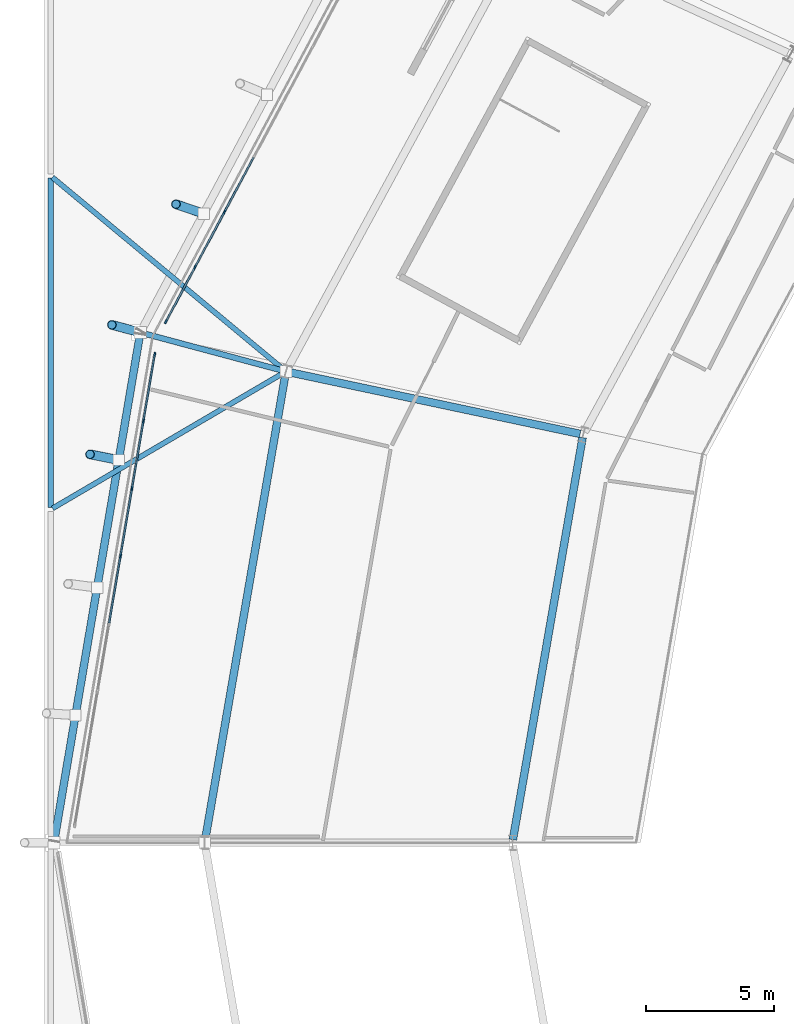
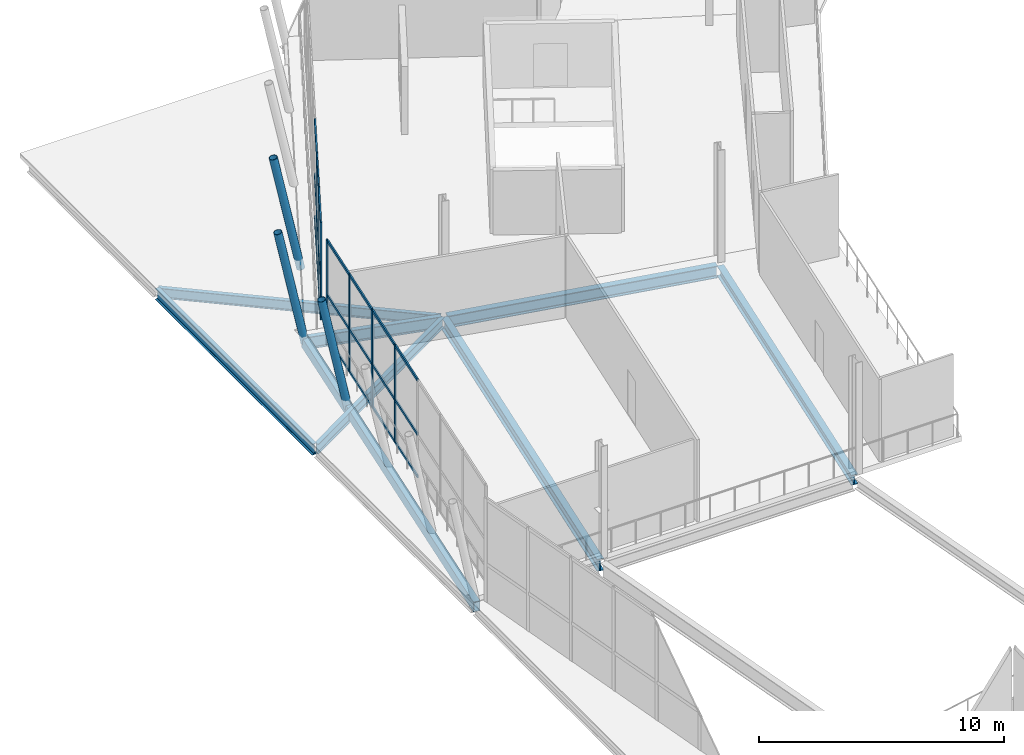
# One storey, part 26 of 99: 31 members, 8 beams, 2 elements without a shape of their own.
"""IFC4 building model written with IfcOpenShell, lengths in metres."""

from ifc_helpers import new_model, si_unit, direction, frame, origin, origin_2d, place, context, subcontext, project, spatial, rectangle, hollow_rectangle, hollow_circle, i_section, extrude, material, material_profile, profile_set, type_object, element, aggregate, save


model = new_model("IFC4")

# Units and contexts
model_context = context("Model", 3, precision=1e-05, world=origin(), true_north=direction((0.0, 1.0)))
body_context = subcontext(model_context, "Body", "Model", "MODEL_VIEW")
ifc_project = project(units=[si_unit("LENGTHUNIT", "METRE"), si_unit("AREAUNIT", "SQUARE_METRE"), si_unit("VOLUMEUNIT", "CUBIC_METRE"), si_unit("PLANEANGLEUNIT", "RADIAN"), si_unit("MASSUNIT", "GRAM", prefix="KILO")], contexts=[model_context])

# Site, building, storey
site_placement = place(None, origin())
site = spatial("IfcSite", under=ifc_project, at=site_placement, CompositionType="ELEMENT")
building_placement = place(site_placement, origin())
building = spatial("IfcBuilding", under=site, at=building_placement, Name="Zlatoyarsky Gate Stadium", CompositionType="ELEMENT")
storey_placement = place(building_placement, frame((0.0, 0.0, 26.199951171875)))
storey = spatial("IfcBuildingStorey", under=building, at=storey_placement, Name="L05", CompositionType="ELEMENT", Elevation=26.199951171875)

# Curtain wall, members
ifc_material_1 = material(Name="Thermally broken anodised aluminium curtain wall", Category="aluminium")
curtain_wall_type = type_object("IfcCurtainWallType", Name="UNITISED SKYBOX RING GLAZING L05", PredefinedType="USERDEFINED", material=ifc_material_1)
curtain_wall_1_placement = place(storey_placement, origin())
curtain_wall_1 = element("IfcCurtainWall", 1, at=curtain_wall_1_placement, inside=storey, type_object=curtain_wall_type, Name="Curtain wall CW-L05-10", ObjectType="UNITISED GLAZING", PredefinedType="USERDEFINED")
ifc_material_2 = material(Name="Anodised aluminium 6063-T6", Category="aluminium")
ifc_material_profile_1 = material_profile(ifc_material_2, rectangle(XDim=0.06494140625, YDim=0.159912109375, at=origin_2d()), Name="ALU 65X160")
ifc_profile_set_1 = profile_set([ifc_material_profile_1], Name="Anodised aluminium 6063-T6")
member_type_1 = type_object("IfcMemberType", Name="ALUMINIUM MULLION 65X160", PredefinedType="MULLION", material=ifc_profile_set_1)
member_1_placement = place(storey_placement, frame((18.772216796875, 104.59619140625, 0.0), z_axis=(0.0, 0.0, 1.0), x_axis=(0.882166738191, -0.470937199667, 0.0)))
member_1 = element("IfcMember", 2, at=member_1_placement, type_object=member_type_1, Name="CW-UG5 mullion 7", PredefinedType="MULLION", context=body_context, shape_type="SweptSolid", body=[
    extrude(rectangle(XDim=0.06494140625, YDim=0.159912109375, at=origin_2d()), origin(), (0.0, 0.0, 1.0), 4.880126953125),
])
member_2_placement = place(storey_placement, frame((17.622802734375, 102.44287109375, 0.0), z_axis=(0.0, 0.0, 1.0), x_axis=(0.882166738191, -0.470937199667, 0.0)))
member_2 = element("IfcMember", 3, at=member_2_placement, type_object=member_type_1, Name="CW-UG5 mullion 8", PredefinedType="MULLION", context=body_context, shape_type="SweptSolid", body=[
    extrude(rectangle(XDim=0.06494140625, YDim=0.159912109375, at=origin_2d()), origin(), (0.0, 0.0, 1.0), 4.880126953125),
])
member_3_placement = place(storey_placement, frame((16.488525390625, 100.318359375, 0.0), z_axis=(0.0, 0.0, 1.0), x_axis=(0.882166738191, -0.470937199667, 0.0)))
member_3 = element("IfcMember", 4, at=member_3_placement, type_object=member_type_1, Name="CW-UG5 mullion 9", PredefinedType="MULLION", context=body_context, shape_type="SweptSolid", body=[
    extrude(rectangle(XDim=0.06494140625, YDim=0.159912109375, at=origin_2d()), origin(), (0.0, 0.0, 1.0), 4.880126953125),
])

curtain_wall_2_placement = place(storey_placement, origin())
curtain_wall_2 = element("IfcCurtainWall", 5, at=curtain_wall_2_placement, inside=storey, type_object=curtain_wall_type, Name="Curtain wall CW-L05-11", ObjectType="UNITISED GLAZING", PredefinedType="USERDEFINED")
member_4_placement = place(storey_placement, frame((16.052978515625, 99.04345703125, 0.0), z_axis=(0.0, 0.0, 1.0), x_axis=(0.985908807049, -0.167283663824, 0.0)))
member_4 = element("IfcMember", 6, at=member_4_placement, type_object=member_type_1, Name="CW-UG5 mullion 1", PredefinedType="MULLION", context=body_context, shape_type="SweptSolid", body=[
    extrude(rectangle(XDim=0.06494140625, YDim=0.159912109375, at=origin_2d()), origin(), (0.0, 0.0, 1.0), 4.880126953125),
])
member_5_placement = place(storey_placement, frame((15.611572265625, 96.44189453125, 0.0), z_axis=(0.0, 0.0, 1.0), x_axis=(0.985908807049, -0.167283663824, 0.0)))
member_5 = element("IfcMember", 7, at=member_5_placement, type_object=member_type_1, Name="CW-UG5 mullion 2", PredefinedType="MULLION", context=body_context, shape_type="SweptSolid", body=[
    extrude(rectangle(XDim=0.06494140625, YDim=0.159912109375, at=origin_2d()), origin(), (0.0, 0.0, 1.0), 4.880126953125),
])
member_6_placement = place(storey_placement, frame((15.164794921875, 93.808349609375, 0.0), z_axis=(0.0, 0.0, 1.0), x_axis=(0.985908807049, -0.167283663824, 0.0)))
member_6 = element("IfcMember", 8, at=member_6_placement, type_object=member_type_1, Name="CW-UG5 mullion 3", PredefinedType="MULLION", context=body_context, shape_type="SweptSolid", body=[
    extrude(rectangle(XDim=0.06494140625, YDim=0.159912109375, at=origin_2d()), origin(), (0.0, 0.0, 1.0), 4.880126953125),
])
member_7_placement = place(storey_placement, frame((14.718017578125, 91.1748046875, 0.0), z_axis=(0.0, 0.0, 1.0), x_axis=(0.985908807049, -0.167283663824, 0.0)))
member_7 = element("IfcMember", 9, at=member_7_placement, type_object=member_type_1, Name="CW-UG5 mullion 4", PredefinedType="MULLION", context=body_context, shape_type="SweptSolid", body=[
    extrude(rectangle(XDim=0.06494140625, YDim=0.159912109375, at=origin_2d()), origin(), (0.0, 0.0, 1.0), 4.880126953125),
])

# Member
ifc_material_profile_2 = material_profile(ifc_material_2, rectangle(XDim=0.06494140625, YDim=0.139892578125, at=origin_2d()), Name="ALU 65X140")
ifc_profile_set_2 = profile_set([ifc_material_profile_2], Name="Anodised aluminium 6063-T6")
member_type_2 = type_object("IfcMemberType", Name="ALUMINIUM TRANSOM 65X140", PredefinedType="USERDEFINED", material=ifc_profile_set_2)
member_8_placement = place(storey_placement, frame((19.906494140625, 106.720703125, 0.032470703125), z_axis=(-0.470934870173, -0.882167981767, 0.0), x_axis=(0.882167981767, -0.470934870173, 0.0)))
member_8 = element("IfcMember", 10, at=member_8_placement, type_object=member_type_2, Name="CW-UG5 transom 6.1", ObjectType="TRANSOM", PredefinedType="USERDEFINED", context=body_context, shape_type="SweptSolid", body=[
    extrude(rectangle(XDim=0.06494140625, YDim=0.139892578125, at=origin_2d()), origin(), (0.0, 0.0, 1.0), 2.3759765625),
])

member_9_placement = place(storey_placement, frame((19.906494140625, 106.720703125, 2.150146484375), z_axis=(-0.470934870173, -0.882167981767, 0.0), x_axis=(0.882167981767, -0.470934870173, 0.0)))
member_9 = element("IfcMember", 11, at=member_9_placement, type_object=member_type_2, Name="CW-UG5 transom 6.2", ObjectType="TRANSOM", PredefinedType="USERDEFINED", context=body_context, shape_type="SweptSolid", body=[
    extrude(rectangle(XDim=0.06494140625, YDim=0.139892578125, at=origin_2d()), origin(), (0.0, 0.0, 1.0), 2.3759765625),
])

member_10_placement = place(storey_placement, frame((19.906494140625, 106.720703125, 4.84765625), z_axis=(-0.470934870173, -0.882167981767, 0.0), x_axis=(0.882167981767, -0.470934870173, 0.0)))
member_10 = element("IfcMember", 12, at=member_10_placement, type_object=member_type_2, Name="CW-UG5 transom 6.3", ObjectType="TRANSOM", PredefinedType="USERDEFINED", context=body_context, shape_type="SweptSolid", body=[
    extrude(rectangle(XDim=0.06494140625, YDim=0.139892578125, at=origin_2d()), origin(), (0.0, 0.0, 1.0), 2.3759765625),
])

member_11_placement = place(storey_placement, frame((18.757080078125, 104.5673828125, 0.032470703125), z_axis=(-0.470977563195, -0.882145189278, 0.0), x_axis=(0.882145189278, -0.470977563195, 0.0)))
member_11 = element("IfcMember", 13, at=member_11_placement, type_object=member_type_2, Name="CW-UG5 transom 7.1", ObjectType="TRANSOM", PredefinedType="USERDEFINED", context=body_context, shape_type="SweptSolid", body=[
    extrude(rectangle(XDim=0.06494140625, YDim=0.139892578125, at=origin_2d()), origin(), (0.0, 0.0, 1.0), 2.375732421875),
])

member_12_placement = place(storey_placement, frame((18.757080078125, 104.5673828125, 2.150146484375), z_axis=(-0.470977563195, -0.882145189278, 0.0), x_axis=(0.882145189278, -0.470977563195, 0.0)))
member_12 = element("IfcMember", 14, at=member_12_placement, type_object=member_type_2, Name="CW-UG5 transom 7.2", ObjectType="TRANSOM", PredefinedType="USERDEFINED", context=body_context, shape_type="SweptSolid", body=[
    extrude(rectangle(XDim=0.06494140625, YDim=0.139892578125, at=origin_2d()), origin(), (0.0, 0.0, 1.0), 2.375732421875),
])

member_13_placement = place(storey_placement, frame((18.757080078125, 104.5673828125, 4.84765625), z_axis=(-0.470977563195, -0.882145189278, 0.0), x_axis=(0.882145189278, -0.470977563195, 0.0)))
member_13 = element("IfcMember", 15, at=member_13_placement, type_object=member_type_2, Name="CW-UG5 transom 7.3", ObjectType="TRANSOM", PredefinedType="USERDEFINED", context=body_context, shape_type="SweptSolid", body=[
    extrude(rectangle(XDim=0.06494140625, YDim=0.139892578125, at=origin_2d()), origin(), (0.0, 0.0, 1.0), 2.375732421875),
])

member_14_placement = place(storey_placement, frame((17.607421875, 102.414306640625, 0.032470703125), z_axis=(-0.47089101284, -0.882191393081, 0.0), x_axis=(0.882191393081, -0.47089101284, 0.0)))
member_14 = element("IfcMember", 16, at=member_14_placement, type_object=member_type_2, Name="CW-UG5 transom 8.1", ObjectType="TRANSOM", PredefinedType="USERDEFINED", context=body_context, shape_type="SweptSolid", body=[
    extrude(rectangle(XDim=0.06494140625, YDim=0.139892578125, at=origin_2d()), origin(), (0.0, 0.0, 1.0), 2.343505859375),
])

member_15_placement = place(storey_placement, frame((17.607421875, 102.414306640625, 2.150146484375), z_axis=(-0.47089101284, -0.882191393081, 0.0), x_axis=(0.882191393081, -0.47089101284, 0.0)))
member_15 = element("IfcMember", 17, at=member_15_placement, type_object=member_type_2, Name="CW-UG5 transom 8.2", ObjectType="TRANSOM", PredefinedType="USERDEFINED", context=body_context, shape_type="SweptSolid", body=[
    extrude(rectangle(XDim=0.06494140625, YDim=0.139892578125, at=origin_2d()), origin(), (0.0, 0.0, 1.0), 2.343505859375),
])

member_16_placement = place(storey_placement, frame((17.607421875, 102.414306640625, 4.84765625), z_axis=(-0.47089101284, -0.882191393081, 0.0), x_axis=(0.882191393081, -0.47089101284, 0.0)))
member_16 = element("IfcMember", 18, at=member_16_placement, type_object=member_type_2, Name="CW-UG5 transom 8.3", ObjectType="TRANSOM", PredefinedType="USERDEFINED", context=body_context, shape_type="SweptSolid", body=[
    extrude(rectangle(XDim=0.06494140625, YDim=0.139892578125, at=origin_2d()), origin(), (0.0, 0.0, 1.0), 2.343505859375),
])

aggregate(curtain_wall_1, [member_1, member_2, member_3, member_8, member_9, member_10, member_11, member_12, member_13, member_14, member_15, member_16])

member_17_placement = place(storey_placement, frame((16.047607421875, 99.011474609375, 0.032470703125), z_axis=(-0.167244205598, -0.985915501295, 0.0), x_axis=(0.985915501295, -0.167244205598, 0.0)))
member_17 = element("IfcMember", 19, at=member_17_placement, type_object=member_type_2, Name="CW-UG5 transom 1.1", ObjectType="TRANSOM", PredefinedType="USERDEFINED", context=body_context, shape_type="SweptSolid", body=[
    extrude(rectangle(XDim=0.06494140625, YDim=0.139892578125, at=origin_2d()), origin(), (0.0, 0.0, 1.0), 2.573486328125),
])

member_18_placement = place(storey_placement, frame((16.047607421875, 99.011474609375, 2.150146484375), z_axis=(-0.167244205598, -0.985915501295, 0.0), x_axis=(0.985915501295, -0.167244205598, 0.0)))
member_18 = element("IfcMember", 20, at=member_18_placement, type_object=member_type_2, Name="CW-UG5 transom 1.2", ObjectType="TRANSOM", PredefinedType="USERDEFINED", context=body_context, shape_type="SweptSolid", body=[
    extrude(rectangle(XDim=0.06494140625, YDim=0.139892578125, at=origin_2d()), origin(), (0.0, 0.0, 1.0), 2.573486328125),
])

member_19_placement = place(storey_placement, frame((16.047607421875, 99.011474609375, 4.84765625), z_axis=(-0.167244205598, -0.985915501295, 0.0), x_axis=(0.985915501295, -0.167244205598, 0.0)))
member_19 = element("IfcMember", 21, at=member_19_placement, type_object=member_type_2, Name="CW-UG5 transom 1.3", ObjectType="TRANSOM", PredefinedType="USERDEFINED", context=body_context, shape_type="SweptSolid", body=[
    extrude(rectangle(XDim=0.06494140625, YDim=0.139892578125, at=origin_2d()), origin(), (0.0, 0.0, 1.0), 2.573486328125),
])

member_20_placement = place(storey_placement, frame((15.606201171875, 96.409912109375, 0.032470703125), z_axis=(-0.167315052867, -0.985903480613, 0.0), x_axis=(0.985903480613, -0.167315052867, 0.0)))
member_20 = element("IfcMember", 22, at=member_20_placement, type_object=member_type_2, Name="CW-UG5 transom 2.1", ObjectType="TRANSOM", PredefinedType="USERDEFINED", context=body_context, shape_type="SweptSolid", body=[
    extrude(rectangle(XDim=0.06494140625, YDim=0.139892578125, at=origin_2d()), origin(), (0.0, 0.0, 1.0), 2.60595703125),
])

member_21_placement = place(storey_placement, frame((15.606201171875, 96.409912109375, 2.150146484375), z_axis=(-0.167315052867, -0.985903480613, 0.0), x_axis=(0.985903480613, -0.167315052867, 0.0)))
member_21 = element("IfcMember", 23, at=member_21_placement, type_object=member_type_2, Name="CW-UG5 transom 2.2", ObjectType="TRANSOM", PredefinedType="USERDEFINED", context=body_context, shape_type="SweptSolid", body=[
    extrude(rectangle(XDim=0.06494140625, YDim=0.139892578125, at=origin_2d()), origin(), (0.0, 0.0, 1.0), 2.60595703125),
])

member_22_placement = place(storey_placement, frame((15.606201171875, 96.409912109375, 4.84765625), z_axis=(-0.167315052867, -0.985903480613, 0.0), x_axis=(0.985903480613, -0.167315052867, 0.0)))
member_22 = element("IfcMember", 24, at=member_22_placement, type_object=member_type_2, Name="CW-UG5 transom 2.3", ObjectType="TRANSOM", PredefinedType="USERDEFINED", context=body_context, shape_type="SweptSolid", body=[
    extrude(rectangle(XDim=0.06494140625, YDim=0.139892578125, at=origin_2d()), origin(), (0.0, 0.0, 1.0), 2.60595703125),
])

member_23_placement = place(storey_placement, frame((15.159423828125, 93.7763671875, 0.032470703125), z_axis=(-0.167315052867, -0.985903480613, 0.0), x_axis=(0.985903480613, -0.167315052867, 0.0)))
member_23 = element("IfcMember", 25, at=member_23_placement, type_object=member_type_2, Name="CW-UG5 transom 3.1", ObjectType="TRANSOM", PredefinedType="USERDEFINED", context=body_context, shape_type="SweptSolid", body=[
    extrude(rectangle(XDim=0.06494140625, YDim=0.139892578125, at=origin_2d()), origin(), (0.0, 0.0, 1.0), 2.60595703125),
])

member_24_placement = place(storey_placement, frame((15.159423828125, 93.7763671875, 2.150146484375), z_axis=(-0.167315052867, -0.985903480613, 0.0), x_axis=(0.985903480613, -0.167315052867, 0.0)))
member_24 = element("IfcMember", 26, at=member_24_placement, type_object=member_type_2, Name="CW-UG5 transom 3.2", ObjectType="TRANSOM", PredefinedType="USERDEFINED", context=body_context, shape_type="SweptSolid", body=[
    extrude(rectangle(XDim=0.06494140625, YDim=0.139892578125, at=origin_2d()), origin(), (0.0, 0.0, 1.0), 2.60595703125),
])

member_25_placement = place(storey_placement, frame((15.159423828125, 93.7763671875, 4.84765625), z_axis=(-0.167315052867, -0.985903480613, 0.0), x_axis=(0.985903480613, -0.167315052867, 0.0)))
member_25 = element("IfcMember", 27, at=member_25_placement, type_object=member_type_2, Name="CW-UG5 transom 3.3", ObjectType="TRANSOM", PredefinedType="USERDEFINED", context=body_context, shape_type="SweptSolid", body=[
    extrude(rectangle(XDim=0.06494140625, YDim=0.139892578125, at=origin_2d()), origin(), (0.0, 0.0, 1.0), 2.60595703125),
])

member_26_placement = place(storey_placement, frame((14.712646484375, 91.142822265625, 0.032470703125), z_axis=(-0.167315052867, -0.985903480613, 0.0), x_axis=(0.985903480613, -0.167315052867, 0.0)))
member_26 = element("IfcMember", 28, at=member_26_placement, type_object=member_type_2, Name="CW-UG5 transom 4.1", ObjectType="TRANSOM", PredefinedType="USERDEFINED", context=body_context, shape_type="SweptSolid", body=[
    extrude(rectangle(XDim=0.06494140625, YDim=0.139892578125, at=origin_2d()), origin(), (0.0, 0.0, 1.0), 2.60595703125),
])

member_27_placement = place(storey_placement, frame((14.712646484375, 91.142822265625, 2.150146484375), z_axis=(-0.167315052867, -0.985903480613, 0.0), x_axis=(0.985903480613, -0.167315052867, 0.0)))
member_27 = element("IfcMember", 29, at=member_27_placement, type_object=member_type_2, Name="CW-UG5 transom 4.2", ObjectType="TRANSOM", PredefinedType="USERDEFINED", context=body_context, shape_type="SweptSolid", body=[
    extrude(rectangle(XDim=0.06494140625, YDim=0.139892578125, at=origin_2d()), origin(), (0.0, 0.0, 1.0), 2.60595703125),
])

member_28_placement = place(storey_placement, frame((14.712646484375, 91.142822265625, 4.84765625), z_axis=(-0.167315052867, -0.985903480613, 0.0), x_axis=(0.985903480613, -0.167315052867, 0.0)))
member_28 = element("IfcMember", 30, at=member_28_placement, type_object=member_type_2, Name="CW-UG5 transom 4.3", ObjectType="TRANSOM", PredefinedType="USERDEFINED", context=body_context, shape_type="SweptSolid", body=[
    extrude(rectangle(XDim=0.06494140625, YDim=0.139892578125, at=origin_2d()), origin(), (0.0, 0.0, 1.0), 2.60595703125),
])

aggregate(curtain_wall_2, [member_4, member_5, member_6, member_7, member_17, member_18, member_19, member_20, member_21, member_22, member_23, member_24, member_25, member_26, member_27, member_28])

# Beams
ifc_material_3 = material(Name="Steel S355", Category="steel")
ifc_material_profile_3 = material_profile(ifc_material_3, i_section(OverallWidth=0.219970703125, OverallDepth=0.60009765625, WebThickness=0.011962890625, FlangeThickness=0.01904296875, FilletRadius=0.02392578125, at=origin_2d()), Name="IPE 600")
ifc_profile_set_3 = profile_set([ifc_material_profile_3], Name="Steel S355")
beam_type_1 = type_object("IfcBeamType", Name="STEEL CANTILEVER FLOOR BEAM IPE 600", PredefinedType="BEAM", material=ifc_profile_set_3)
beam_1_placement = place(storey_placement, frame((21.052978515625, 98.4072265625, -0.56005859375), z_axis=(-0.965927422152, 0.258813089189, 0.0), x_axis=(-0.258813089189, -0.965927422152, 0.0)))
element("IfcBeam", 31, at=beam_1_placement, inside=storey, type_object=beam_type_1, Name="Beam B-IPE600 BM-L05-OUT-11", PredefinedType="BEAM", context=body_context, shape_type="SweptSolid", body=[
    extrude(i_section(OverallWidth=0.219970703125, OverallDepth=0.60009765625, WebThickness=0.011962890625, FlangeThickness=0.01904296875, FilletRadius=0.02392578125, at=origin_2d()), origin(), (0.0, 0.0, 1.0), 5.758056640625),
])
ifc_material_profile_4 = material_profile(ifc_material_3, i_section(OverallWidth=0.199951171875, OverallDepth=0.5, WebThickness=0.01025390625, FlangeThickness=0.01611328125, FilletRadius=0.02099609375, at=origin_2d()), Name="IPE 500")
ifc_profile_set_4 = profile_set([ifc_material_profile_4], Name="Steel S355")
beam_type_2 = type_object("IfcBeamType", Name="STEEL FLOOR BEAM IPE 500", PredefinedType="BEAM", material=ifc_profile_set_4)
beam_2_placement = place(storey_placement, frame((12.069091796875, 93.04052734375, -0.510009765625), z_axis=(0.862648306974, 0.505804209625, 0.0), x_axis=(-0.505804209625, 0.862648306974, 0.0)))
element("IfcBeam", 32, at=beam_2_placement, inside=storey, type_object=beam_type_2, Name="Beam B-IPE500 BM-L05-WRF-W5", PredefinedType="BEAM", context=body_context, shape_type="SweptSolid", body=[
    extrude(i_section(OverallWidth=0.199951171875, OverallDepth=0.5, WebThickness=0.01025390625, FlangeThickness=0.01611328125, FilletRadius=0.02099609375, at=origin_2d()), origin(), (0.0, 0.0, 1.0), 10.4287109375),
])
beam_3_placement = place(storey_placement, frame((12.0615234375, 105.948974609375, -0.510009765625), z_axis=(0.768913795001, -0.63935246606, 0.0), x_axis=(0.63935246606, 0.768913795001, 0.0)))
element("IfcBeam", 33, at=beam_3_placement, inside=storey, type_object=beam_type_2, Name="Beam B-IPE500 BM-L05-WRF-W6", PredefinedType="BEAM", context=body_context, shape_type="SweptSolid", body=[
    extrude(i_section(OverallWidth=0.199951171875, OverallDepth=0.5, WebThickness=0.01025390625, FlangeThickness=0.01611328125, FilletRadius=0.02099609375, at=origin_2d()), origin(), (0.0, 0.0, 1.0), 11.724609375),
])
ifc_material_profile_5 = material_profile(ifc_material_3, i_section(OverallWidth=0.2099609375, OverallDepth=0.550048828125, WebThickness=0.010986328125, FlangeThickness=0.01708984375, FilletRadius=0.02392578125, at=origin_2d()), Name="IPE 550")
ifc_profile_set_5 = profile_set([ifc_material_profile_5], Name="Steel S355")
beam_type_3 = type_object("IfcBeamType", Name="STEEL FLOOR BEAM IPE 550", PredefinedType="BEAM", material=ifc_profile_set_5)
beam_4_placement = place(storey_placement, frame((12.0, 93.080078125, -0.534912109375), z_axis=(0.0, 1.0, 0.0), x_axis=(-1.0, 0.0, 0.0)))
element("IfcBeam", 34, at=beam_4_placement, inside=storey, type_object=beam_type_3, Name="Beam B-IPE550 BM-L05-WGY-2-J", PredefinedType="BEAM", context=body_context, shape_type="SweptSolid", body=[
    extrude(i_section(OverallWidth=0.2099609375, OverallDepth=0.550048828125, WebThickness=0.010986328125, FlangeThickness=0.01708984375, FilletRadius=0.02392578125, at=origin_2d()), origin(), (0.0, 0.0, 1.0), 12.83984375),
])

# Members
ifc_material_profile_6 = material_profile(ifc_material_3, hollow_circle(Radius=0.177734375, WallThickness=0.02001953125, at=origin_2d()), Name="CHS 355.6X20")
ifc_profile_set_6 = profile_set([ifc_material_profile_6], Name="Steel S355")
member_type_3 = type_object("IfcMemberType", Name="STEEL LEANING RIB RING STRUT CHS 355.6X20", PredefinedType="STRUT", material=ifc_profile_set_6)
member_29_placement = place(storey_placement, frame((17.960693359375, 104.532958984375, -0.510009765625), z_axis=(-0.18734638797, 0.063505816911, 0.980238920944), x_axis=(-0.32103278258, -0.947068082299, 0.0)))
element("IfcMember", 35, at=member_29_placement, inside=storey, type_object=member_type_3, Name="Outward-leaning bowl louvre fin rib L05 10-3", PredefinedType="STRUT", context=body_context, shape_type="SweptSolid", body=[
    extrude(hollow_circle(Radius=0.177734375, WallThickness=0.02001953125, at=origin_2d()), origin(), (0.0, 0.0, 1.0), 5.774169921875),
])
member_30_placement = place(storey_placement, frame((15.4912109375, 99.8974609375, -0.56005859375), z_axis=(-0.190625969034, 0.051093460038, 0.980332187716), x_axis=(-0.258891781195, -0.965906333777, 0.0)))
element("IfcMember", 36, at=member_30_placement, inside=storey, type_object=member_type_3, Name="Upper leaning rib ring strut 11", PredefinedType="STRUT", context=body_context, shape_type="SweptSolid", body=[
    extrude(hollow_circle(Radius=0.177734375, WallThickness=0.02001953125, at=origin_2d()), origin(), (0.0, 0.0, 1.0), 5.82470703125),
])
member_31_placement = place(storey_placement, frame((14.648681640625, 94.923095703125, -0.510009765625), z_axis=(-0.19394459082, 0.038645161546, 0.980251012333), x_axis=(-0.195417109791, -0.980720221674, 0.0)))
element("IfcMember", 37, at=member_31_placement, inside=storey, type_object=member_type_3, Name="Outward-leaning bowl louvre fin rib L05 11-1", PredefinedType="STRUT", context=body_context, shape_type="SweptSolid", body=[
    extrude(hollow_circle(Radius=0.177734375, WallThickness=0.02001953125, at=origin_2d()), origin(), (0.0, 0.0, 1.0), 5.774169921875),
])

# Beams
ifc_material_profile_7 = material_profile(ifc_material_3, hollow_rectangle(XDim=0.300048828125, YDim=0.5, WallThickness=0.02001953125, at=origin_2d()), Name="RHS 500X300X20")
ifc_profile_set_7 = profile_set([ifc_material_profile_7], Name="Steel S355")
beam_type_4 = type_object("IfcBeamType", Name="STEEL LOUVRE CARRIER SPANDREL RHS 500X300X20", PredefinedType="SPANDREL", material=ifc_profile_set_7)
beam_5_placement = place(storey_placement, frame((15.48779296875, 99.877685546875, -0.510009765625), z_axis=(-0.166953846626, -0.985964711892, 0.0), x_axis=(0.985964711892, -0.166953846626, 0.0)))
element("IfcBeam", 38, at=beam_5_placement, inside=storey, type_object=beam_type_4, Name="Beam SP-RHS500 BM-L05-SPD-11", PredefinedType="SPANDREL", context=body_context, shape_type="SweptSolid", body=[
    extrude(hollow_rectangle(XDim=0.300048828125, YDim=0.5, WallThickness=0.02001953125, at=origin_2d()), origin(), (0.0, 0.0, 1.0), 20.140625),
])
ifc_material_profile_8 = material_profile(ifc_material_3, i_section(OverallWidth=0.300048828125, OverallDepth=0.5, WebThickness=0.014404296875, FlangeThickness=0.028076171875, FilletRadius=0.027099609375, at=origin_2d()), Name="HEB 500")
ifc_profile_set_8 = profile_set([ifc_material_profile_8], Name="Steel S355")
beam_type_5 = type_object("IfcBeamType", Name="STEEL PRIMARY GIRDER HEB 500", PredefinedType="BEAM", material=ifc_profile_set_8)
beam_6_placement = place(storey_placement, frame((32.739501953125, 95.79931640625, -0.510009765625), z_axis=(-0.170843315562, -0.985298209441, 0.0), x_axis=(0.985298209441, -0.170843315562, 0.0)))
element("IfcBeam", 39, at=beam_6_placement, inside=storey, type_object=beam_type_5, Name="Beam G-HEB500 BM-L05-CRB-11", PredefinedType="BEAM", context=body_context, shape_type="SweptSolid", body=[
    extrude(i_section(OverallWidth=0.300048828125, OverallDepth=0.5, WebThickness=0.014404296875, FlangeThickness=0.028076171875, FilletRadius=0.027099609375, at=origin_2d()), origin(), (0.0, 0.0, 1.0), 15.9150390625),
])
ifc_material_profile_9 = material_profile(ifc_material_3, i_section(OverallWidth=0.300048828125, OverallDepth=0.60009765625, WebThickness=0.015380859375, FlangeThickness=0.030029296875, FilletRadius=0.027099609375, at=origin_2d()), Name="HEB 600")
ifc_profile_set_9 = profile_set([ifc_material_profile_9], Name="Steel S355")
beam_type_6 = type_object("IfcBeamType", Name="STEEL PRIMARY GIRDER HEB 600", PredefinedType="BEAM", material=ifc_profile_set_9)
beam_7_placement = place(storey_placement, frame((32.642578125, 95.9423828125, -0.56005859375), z_axis=(-0.978233348926, 0.207507867438, 0.0), x_axis=(-0.207507867438, -0.978233348926, 0.0)))
element("IfcBeam", 40, at=beam_7_placement, inside=storey, type_object=beam_type_6, Name="Beam G-HEB600 BM-L05-RBC-11", PredefinedType="BEAM", context=body_context, shape_type="SweptSolid", body=[
    extrude(i_section(OverallWidth=0.300048828125, OverallDepth=0.60009765625, WebThickness=0.015380859375, FlangeThickness=0.030029296875, FilletRadius=0.027099609375, at=origin_2d()), origin(), (0.0, 0.0, 1.0), 11.60888671875),
])
beam_8_placement = place(storey_placement, frame((21.1484375, 98.2578125, -0.56005859375), z_axis=(-0.169930456666, -0.985456056807, 0.0), x_axis=(0.985456056807, -0.169930456666, 0.0)))
element("IfcBeam", 41, at=beam_8_placement, inside=storey, type_object=beam_type_6, Name="Beam G-HEB600 BM-L05-CRC-11", PredefinedType="BEAM", context=body_context, shape_type="SweptSolid", body=[
    extrude(i_section(OverallWidth=0.300048828125, OverallDepth=0.60009765625, WebThickness=0.015380859375, FlangeThickness=0.030029296875, FilletRadius=0.027099609375, at=origin_2d()), origin(), (0.0, 0.0, 1.0), 18.4072265625),
])

save(model, "model.ifc")
